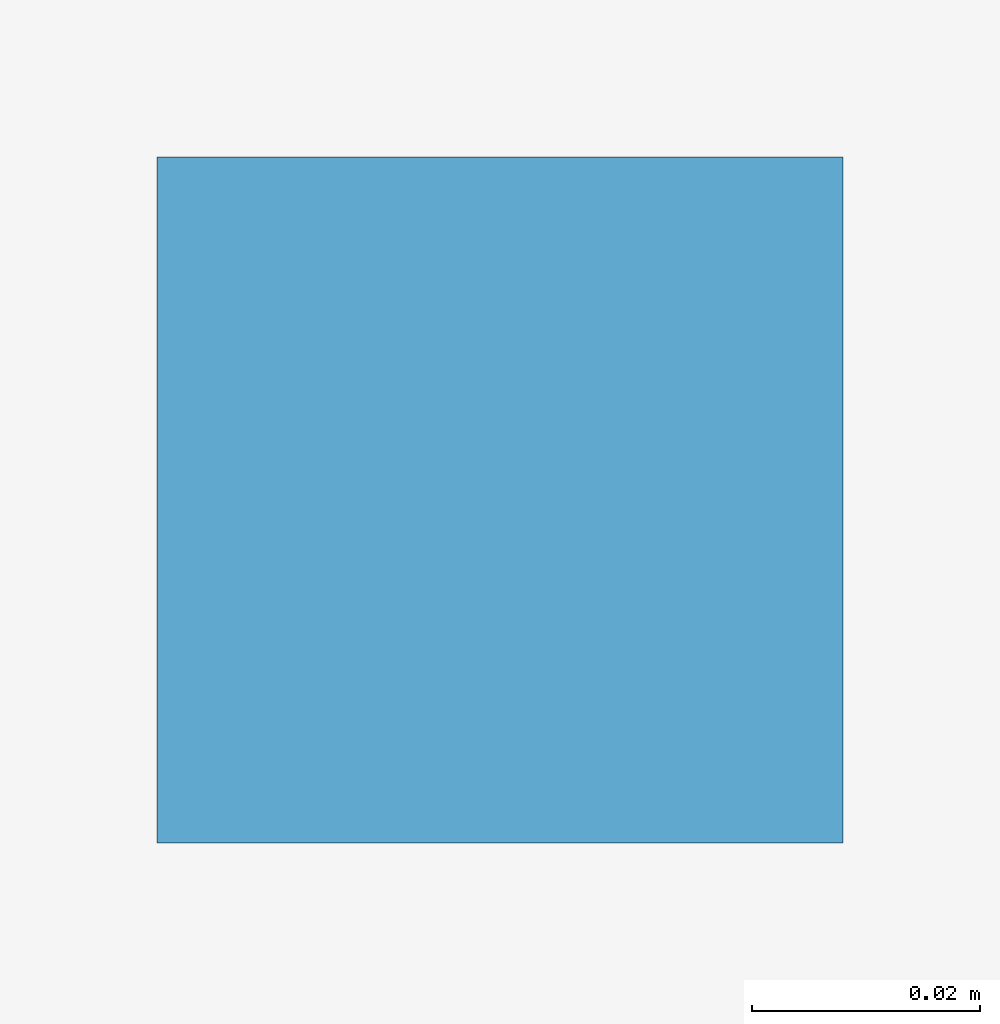
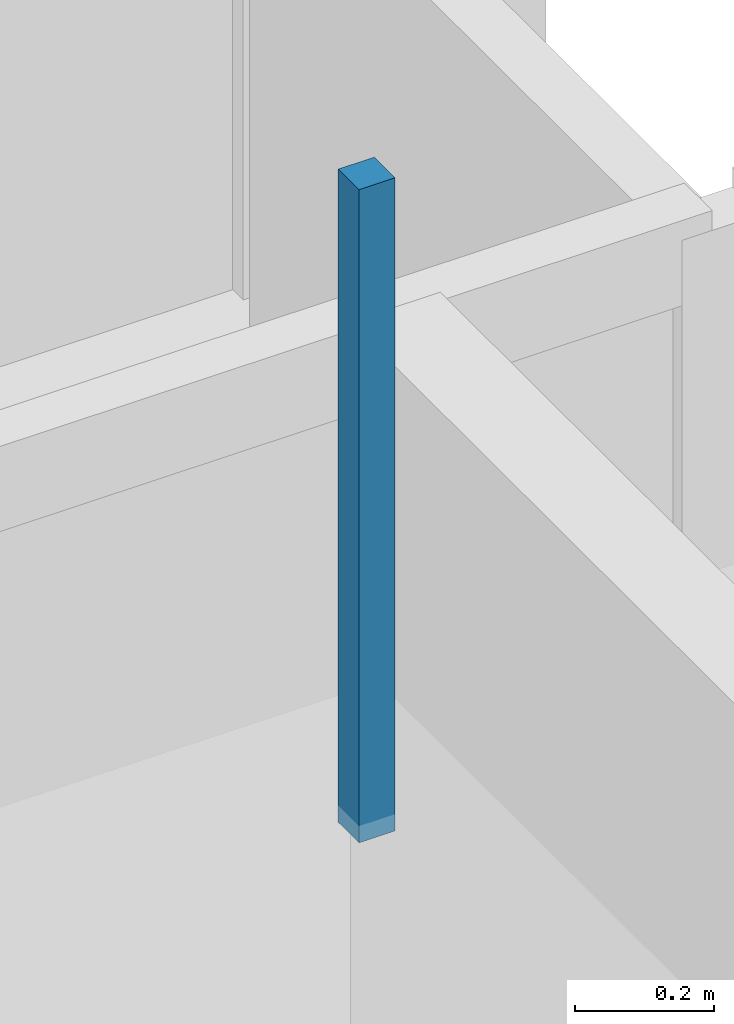
# One storey, part 65 of 93: 1 discrete accessory.
"""IFC4 building model written with IfcOpenShell, lengths in metres."""

from ifc_helpers import new_model, si_unit, direction, frame, origin, place, context, subcontext, project, spatial, polyline, outline, extrude, material, type_object, element, save


model = new_model("IFC4")

# Units and contexts
model_context = context("Model", 3, precision=1e-05, world=origin(), true_north=direction((0.0, 1.0)))
body_context = subcontext(model_context, "Body", "Model", "MODEL_VIEW")
ifc_project = project(units=[si_unit("LENGTHUNIT", "METRE"), si_unit("AREAUNIT", "SQUARE_METRE"), si_unit("VOLUMEUNIT", "CUBIC_METRE"), si_unit("PLANEANGLEUNIT", "RADIAN"), si_unit("MASSUNIT", "GRAM", prefix="KILO")], contexts=[model_context])

# Site, building, storey
site_placement = place(None, origin())
site = spatial("IfcSite", under=ifc_project, at=site_placement, CompositionType="ELEMENT")
building_placement = place(site_placement, origin())
building = spatial("IfcBuilding", under=site, at=building_placement, Name="Dunescarp Central Library", CompositionType="ELEMENT")
storey_placement = place(building_placement, frame((0.0, 0.0, 14.10009765625)))
storey = spatial("IfcBuildingStorey", under=building, at=storey_placement, Name="L03", CompositionType="ELEMENT", Elevation=14.10009765625)

# Discrete accessory
ifc_material = material(Name="Stainless steel Grade 316L", Category="steel")
discrete_accessory_type = type_object("IfcDiscreteAccessoryType", Name="ARC-ACC-BRK", PredefinedType="BRACKET", material=ifc_material)
discrete_accessory_placement = place(storey_placement, frame((0.0, 0.0, 3.059814453125)))
element("IfcDiscreteAccessory", 1, at=discrete_accessory_placement, inside=storey, type_object=discrete_accessory_type, Name="L03 ceiling hanger CLG-L03-027-H2", PredefinedType="BRACKET", context=body_context, shape_type="SweptSolid", body=[
    extrude(outline(polyline([(25.919921875, 36.3798828125), (25.97998046875, 36.3798828125), (25.97998046875, 36.43994140625), (25.919921875, 36.43994140625), (25.919921875, 36.3798828125)])), origin(), (0.0, 0.0, 1.0), 1.150146484375),
])

save(model, "model.ifc")
